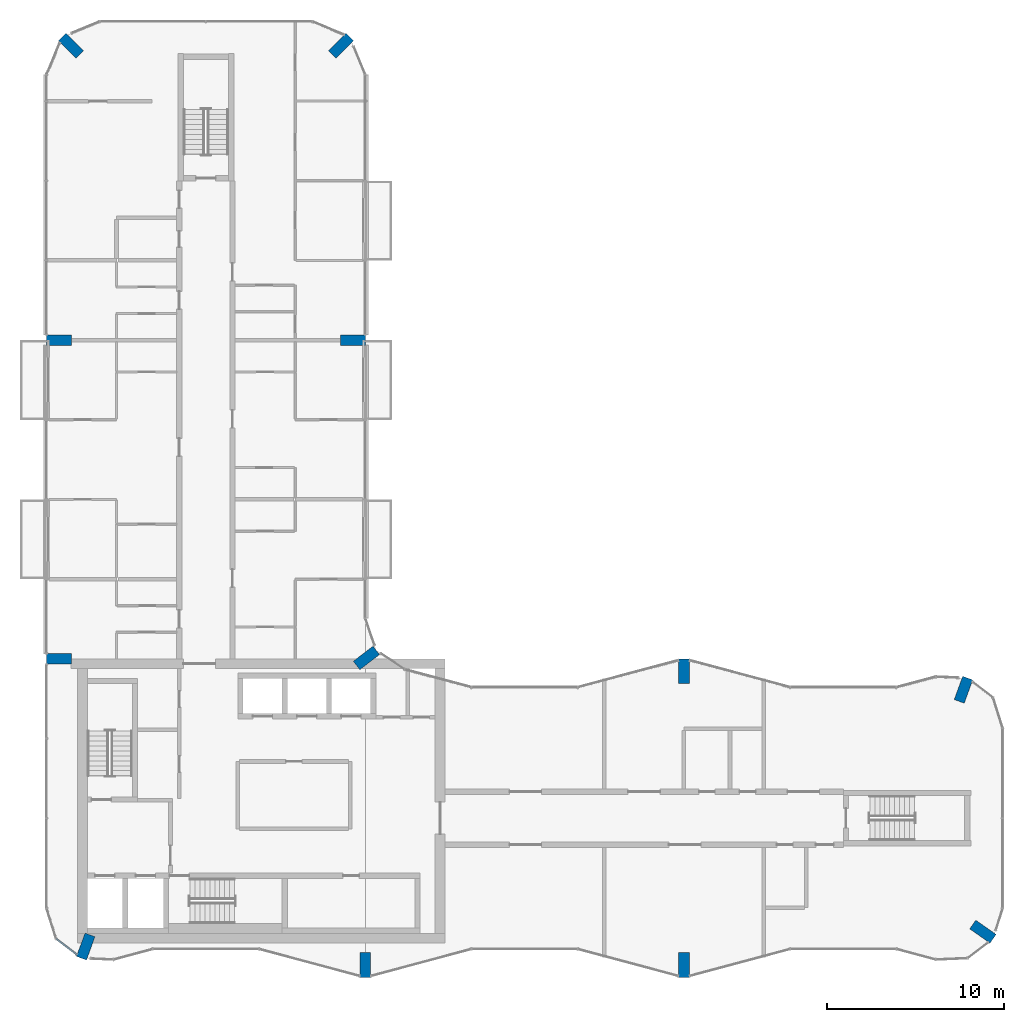
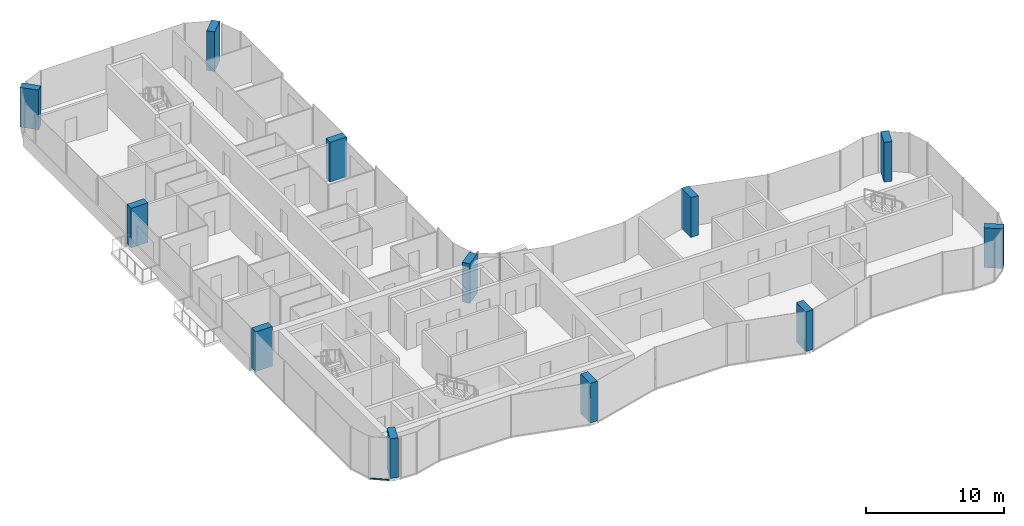
# One storey, part 1 of 16: 12 columns, 1 member, 1 element without a shape of its own.
"""IFC4 building model written with IfcOpenShell, lengths in metres."""

from ifc_helpers import new_model, si_unit, direction, frame, origin, origin_2d, place, context, subcontext, project, spatial, rectangle, extrude, material, layer, layer_set, material_profile, profile_set, type_object, element, aggregate, save


model = new_model("IFC4")

# Units and contexts
model_context = context("Model", 3, precision=1e-05, world=origin(), true_north=direction((0.0, 1.0)))
body_context = subcontext(model_context, "Body", "Model", "MODEL_VIEW")
ifc_project = project(units=[si_unit("LENGTHUNIT", "METRE"), si_unit("AREAUNIT", "SQUARE_METRE"), si_unit("VOLUMEUNIT", "CUBIC_METRE"), si_unit("PLANEANGLEUNIT", "RADIAN"), si_unit("MASSUNIT", "GRAM", prefix="KILO")], contexts=[model_context])

# Site, building, storey
site_placement = place(None, origin())
site = spatial("IfcSite", under=ifc_project, at=site_placement, CompositionType="ELEMENT")
building_placement = place(site_placement, origin())
building = spatial("IfcBuilding", under=site, at=building_placement, Name="Plateau Cross Towers", CompositionType="ELEMENT")
storey_placement = place(building_placement, frame((0.0, 0.0, 181.39990234375)))
storey = spatial("IfcBuildingStorey", under=building, at=storey_placement, Name="L47", CompositionType="ELEMENT", Elevation=181.39990234375)

# Columns
ifc_material_1 = material(Name="Concrete C60/75", Category="concrete")
ifc_material_profile_1 = material_profile(ifc_material_1, rectangle(XDim=0.60009765625, YDim=1.39990234375, at=origin_2d()), Name="RC 600x1400")
ifc_profile_set_1 = profile_set([ifc_material_profile_1], Name="Concrete C60/75")
column_type = type_object("IfcColumnType", Name="Fin pier column RC 600x1400", PredefinedType="COLUMN", material=ifc_profile_set_1)
for number, where, z_axis, x_axis, name in (
    (1, (18.0, 0.699951171875, 0.0), (0.0, 0.0, 1.0), (1.0, 0.0, 0.0), "PR1 L47"),
    (2, (36.0, 0.699951171875, 0.0), (0.0, 0.0, 1.0), (1.0, 0.0, 0.0), "PR2 L47"),
    (3, (52.884033203125, 2.590087890625, 0.0), (0.0, 0.0, 1.0), (0.573542637991, 0.819175709117, 0.0), "PR3 L47"),
    (4, (51.786865234375, 16.251953125, 0.0), (0.0, 0.0, 1.0), (-0.939664280925, 0.342097996418, 0.0), "PR4 L47"),
    (5, (36.0, 17.300048828125, 0.0), (0.0, 0.0, 1.0), (1.0, 0.0, 0.0), "PR5 L47"),
    (6, (18.064697265625, 18.049560546875, 0.0), (0.0, 0.0, 1.0), (-0.608810846443, 0.793315418515, 0.0), "PR6 L47"),
    (7, (17.300048828125, 36.0, 0.0), (0.0, 0.0, 1.0), (0.0, 1.0, 0.0), "PR7 L47"),
    (8, (16.62646484375, 52.62646484375, 0.0), (0.0, 0.0, 1.0), (-0.707106781187, 0.707106781187, 0.0), "PR8 L47"),
    (9, (1.37353515625, 52.62646484375, 0.0), (0.0, 0.0, 1.0), (0.707106781187, 0.707106781187, 0.0), "PR9 L47"),
    (10, (0.699951171875, 36.0, 0.0), (0.0, 0.0, 1.0), (0.0, 1.0, 0.0), "PR10 L47"),
    (11, (0.699951171875, 18.0, 0.0), (0.0, 0.0, 1.0), (0.0, 1.0, 0.0), "PR11 L47"),
    (12, (2.213134765625, 1.748046875, 0.0), (0.0, 0.0, 1.0), (-0.939664280925, 0.342097996418, 0.0), "PR12 L47"),
):
    element("IfcColumn", number, at=place(storey_placement, frame(where, z_axis=z_axis, x_axis=x_axis)), inside=storey, type_object=column_type, Name=name, PredefinedType="COLUMN", context=body_context, shape_type="SweptSolid", body=[
        extrude(rectangle(XDim=0.60009765625, YDim=1.39990234375, at=origin_2d()), origin(), (0.0, 0.0, 1.0), 3.5),
    ])

# Curtain wall, member
ifc_material_2 = material(Name="Dark low-iron glass", Category="glass")
ifc_layer = layer(ifc_material_2, 0.239990234375)
ifc_layer_set = layer_set([ifc_layer], Name="Dark low-iron glass")
curtain_wall_type = type_object("IfcCurtainWallType", Name="Curtain wall flush unitised CW-B", PredefinedType="NOTDEFINED", material=ifc_layer_set)
curtain_wall_placement = place(storey_placement, origin())
curtain_wall = element("IfcCurtainWall", 13, at=curtain_wall_placement, inside=storey, type_object=curtain_wall_type, Name="ENV/A/L47/A5_22", PredefinedType="NOTDEFINED")
ifc_material_3 = material(Name="Black anodised aluminium", Category="aluminium")
ifc_material_profile_2 = material_profile(ifc_material_3, rectangle(XDim=0.10009765625, YDim=0.1201171875, at=origin_2d()), Name="TRANSOM 100x120")
ifc_profile_set_2 = profile_set([ifc_material_profile_2], Name="Black anodised aluminium")
member_type = type_object("IfcMemberType", Name="Transom 100x120 flush unitised", PredefinedType="USERDEFINED", material=ifc_profile_set_2)
member_placement = place(storey_placement, frame((0.54248046875, 2.1884765625, -0.18994140625), z_axis=(0.793320508571, -0.608804213751, 0.0), x_axis=(0.608804213751, 0.793320508571, 0.0)))
member = element("IfcMember", 14, at=member_placement, type_object=member_type, Name="CW-B transom", ObjectType="TRANSOM", PredefinedType="USERDEFINED", context=body_context, shape_type="SweptSolid", body=[
    extrude(rectangle(XDim=0.10009765625, YDim=0.1201171875, at=origin_2d()), origin(), (0.0, 0.0, 1.0), 1.471435546875),
])
aggregate(curtain_wall, [member])

save(model, "model.ifc")
